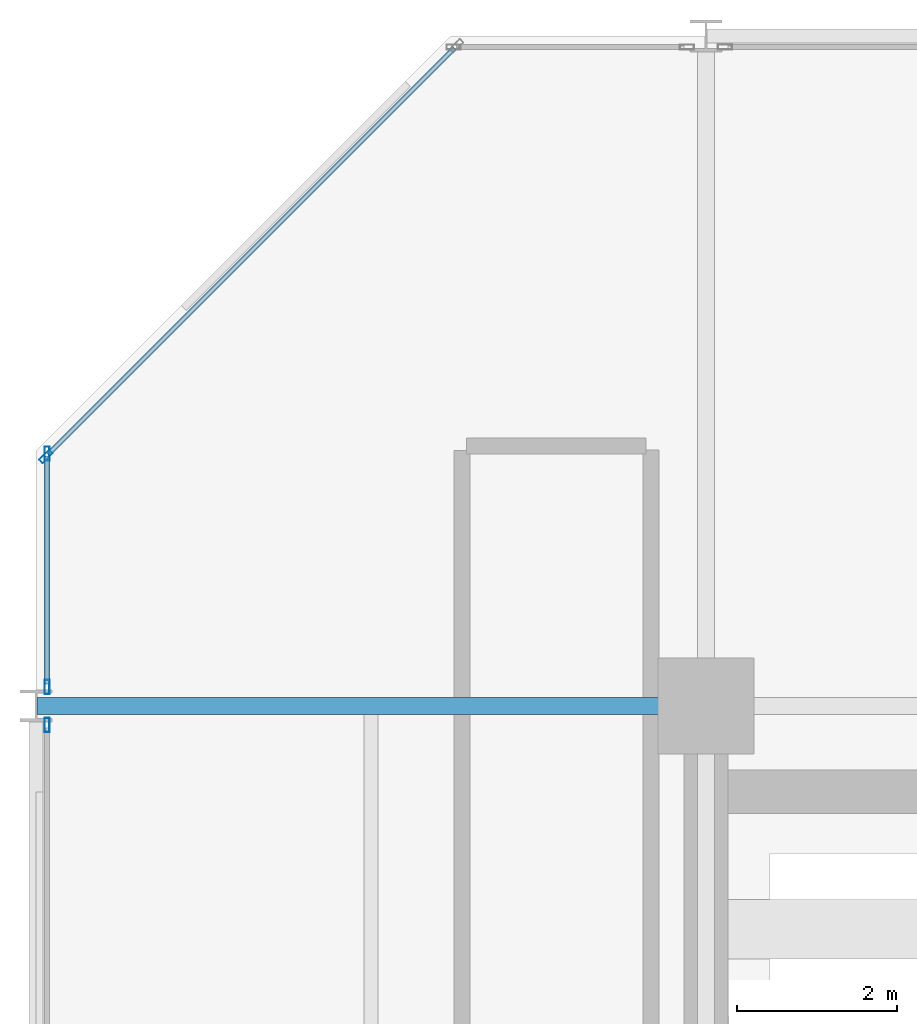
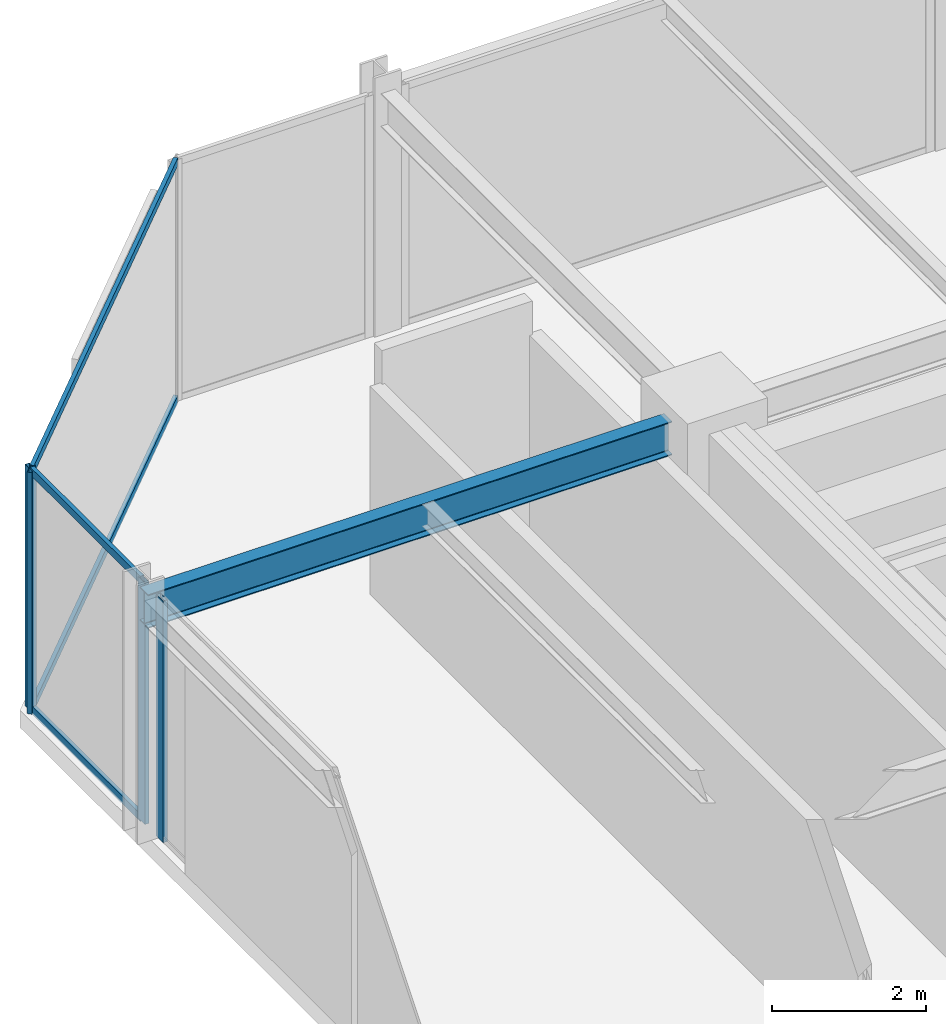
# One storey, part 18 of 29: 8 members, 1 beam, 3 elements without a shape of their own.
"""IFC4 building model written with IfcOpenShell, lengths in metres."""

from ifc_helpers import new_model, si_unit, direction, frame, origin, origin_2d, place, context, subcontext, project, spatial, hollow_rectangle, i_section, extrude, material, layer, layer_set, material_profile, profile_set, type_object, element, aggregate, save


model = new_model("IFC4")

# Units and contexts
model_context = context("Model", 3, precision=1e-05, world=origin(), true_north=direction((0.0, 1.0)))
body_context = subcontext(model_context, "Body", "Model", "MODEL_VIEW")
ifc_project = project(units=[si_unit("LENGTHUNIT", "METRE"), si_unit("AREAUNIT", "SQUARE_METRE"), si_unit("VOLUMEUNIT", "CUBIC_METRE"), si_unit("PLANEANGLEUNIT", "RADIAN"), si_unit("MASSUNIT", "GRAM", prefix="KILO")], contexts=[model_context])

# Site, building, storey
site_placement = place(None, origin())
site = spatial("IfcSite", under=ifc_project, at=site_placement, CompositionType="ELEMENT")
building_placement = place(site_placement, origin())
building = spatial("IfcBuilding", under=site, at=building_placement, Name="Nerrivon Quay Data Exchange", CompositionType="ELEMENT")
storey_placement = place(building_placement, frame((0.0, 0.0, 121.300048828125)))
storey = spatial("IfcBuildingStorey", under=building, at=storey_placement, Name="L28", CompositionType="ELEMENT", Elevation=121.300048828125)

# Beam
ifc_material_1 = material(Name="Steel Grade 350", Category="steel")
ifc_material_profile_1 = material_profile(ifc_material_1, i_section(OverallWidth=0.208984375, OverallDepth=0.532958984375, WebThickness=0.01025390625, FlangeThickness=0.015625, FilletRadius=0.013916015625, at=origin_2d()), Name="530UB92.4")
ifc_profile_set_1 = profile_set([ifc_material_profile_1], Name="Steel Grade 350")
beam_type = type_object("IfcBeamType", Name="BM-G3-530UB92", PredefinedType="BEAM", material=ifc_profile_set_1)
beam_placement = place(storey_placement, frame((0.012451171875, 42.0, 3.558349609375), z_axis=(1.0, 0.0, 0.0), x_axis=(0.0, 1.0, 0.0)))
element("IfcBeam", 1, at=beam_placement, inside=storey, type_object=beam_type, Name="L28 EW Girder Y=42.0 (0.0..8.4)", PredefinedType="BEAM", context=body_context, shape_type="SweptSolid", body=[
    extrude(i_section(OverallWidth=0.208984375, OverallDepth=0.532958984375, WebThickness=0.01025390625, FlangeThickness=0.015625, FilletRadius=0.013916015625, at=origin_2d()), origin(), (0.0, 0.0, 1.0), 7.84765625),
])

# Curtain wall, member
ifc_material_2 = material(Name="Anodised aluminium 6063-T6", Category="aluminium")
ifc_layer = layer(ifc_material_2, 0.2099609375)
ifc_layer_set = layer_set([ifc_layer], Name="Anodised aluminium 6063-T6")
curtain_wall_type = type_object("IfcCurtainWallType", Name="CW-SYS-02", PredefinedType="NOTDEFINED", material=ifc_layer_set)
curtain_wall_1_placement = place(storey_placement, origin())
curtain_wall_1 = element("IfcCurtainWall", 2, at=curtain_wall_1_placement, inside=storey, type_object=curtain_wall_type, Name="L28 Unitised Curtain Wall 15", PredefinedType="NOTDEFINED")
ifc_material_profile_2 = material_profile(ifc_material_2, hollow_rectangle(XDim=0.06494140625, YDim=0.179931640625, WallThickness=0.00341796875, at=origin_2d()), Name="ALU-MULL-180x65")
ifc_profile_set_2 = profile_set([ifc_material_profile_2], Name="Anodised aluminium 6063-T6")
member_type_1 = type_object("IfcMemberType", Name="CWM-180x65", PredefinedType="MULLION", material=ifc_profile_set_2)
member_1_placement = place(storey_placement, frame((0.139892578125, 41.762451171875, 0.0), z_axis=(0.0, 0.0, 1.0), x_axis=(-1.0, 0.0, 0.0)))
member_1 = element("IfcMember", 3, at=member_1_placement, type_object=member_type_1, Name="CW02 mullion 2", PredefinedType="MULLION", context=body_context, shape_type="SweptSolid", body=[
    extrude(hollow_rectangle(XDim=0.06494140625, YDim=0.179931640625, WallThickness=0.00341796875, at=origin_2d()), origin(), (0.0, 0.0, 1.0), 3.824951171875),
])
aggregate(curtain_wall_1, [member_1])

# Curtain wall, members
curtain_wall_2_placement = place(storey_placement, origin())
curtain_wall_2 = element("IfcCurtainWall", 4, at=curtain_wall_2_placement, inside=storey, type_object=curtain_wall_type, Name="L28 Unitised Curtain Wall 16", PredefinedType="NOTDEFINED")
member_2_placement = place(storey_placement, frame((0.139892578125, 42.237548828125, 0.0), z_axis=(0.0, 0.0, 1.0), x_axis=(-1.0, 0.0, 0.0)))
member_2 = element("IfcMember", 5, at=member_2_placement, type_object=member_type_1, Name="CW02 mullion 1", PredefinedType="MULLION", context=body_context, shape_type="SweptSolid", body=[
    extrude(hollow_rectangle(XDim=0.06494140625, YDim=0.179931640625, WallThickness=0.00341796875, at=origin_2d()), origin(), (0.0, 0.0, 1.0), 3.824951171875),
])
member_3_placement = place(storey_placement, frame((0.139892578125, 45.16259765625, 0.0), z_axis=(0.0, 0.0, 1.0), x_axis=(-1.0, 0.0, 0.0)))
member_3 = element("IfcMember", 6, at=member_3_placement, type_object=member_type_1, Name="CW02 mullion 2", PredefinedType="MULLION", context=body_context, shape_type="SweptSolid", body=[
    extrude(hollow_rectangle(XDim=0.06494140625, YDim=0.179931640625, WallThickness=0.00341796875, at=origin_2d()), origin(), (0.0, 0.0, 1.0), 3.824951171875),
])

# Curtain wall, member
curtain_wall_3_placement = place(storey_placement, origin())
curtain_wall_3 = element("IfcCurtainWall", 7, at=curtain_wall_3_placement, inside=storey, type_object=curtain_wall_type, Name="L28 Unitised Curtain Wall 17", PredefinedType="NOTDEFINED")
member_4_placement = place(storey_placement, frame((0.12548828125, 45.12744140625, 0.0), z_axis=(0.0, 0.0, 1.0), x_axis=(-0.707106781187, 0.707106781187, 0.0)))
member_4 = element("IfcMember", 8, at=member_4_placement, type_object=member_type_1, Name="CW02 mullion 1", PredefinedType="MULLION", context=body_context, shape_type="SweptSolid", body=[
    extrude(hollow_rectangle(XDim=0.06494140625, YDim=0.179931640625, WallThickness=0.00341796875, at=origin_2d()), origin(), (0.0, 0.0, 1.0), 3.824951171875),
])

# Member
ifc_material_profile_3 = material_profile(ifc_material_2, hollow_rectangle(XDim=0.06005859375, YDim=0.1201171875, WallThickness=0.003173828125, at=origin_2d()), Name="ALU-TRAN-120x60")
ifc_profile_set_3 = profile_set([ifc_material_profile_3], Name="Anodised aluminium 6063-T6")
member_type_2 = type_object("IfcMemberType", Name="CWT-120x60", PredefinedType="USERDEFINED", material=ifc_profile_set_3)
member_5_placement = place(storey_placement, frame((0.139892578125, 42.27490234375, 0.032470703125), z_axis=(0.0, 1.0, 0.0), x_axis=(-1.0, 0.0, 0.0)))
member_5 = element("IfcMember", 9, at=member_5_placement, type_object=member_type_2, Name="CW02 transom 1.1", ObjectType="TRANSOM", PredefinedType="USERDEFINED", context=body_context, shape_type="SweptSolid", body=[
    extrude(hollow_rectangle(XDim=0.06005859375, YDim=0.1201171875, WallThickness=0.003173828125, at=origin_2d()), origin(), (0.0, 0.0, 1.0), 2.85009765625),
])

member_6_placement = place(storey_placement, frame((0.139892578125, 42.27490234375, 3.79248046875), z_axis=(0.0, 1.0, 0.0), x_axis=(-1.0, 0.0, 0.0)))
member_6 = element("IfcMember", 10, at=member_6_placement, type_object=member_type_2, Name="CW02 transom 1.2", ObjectType="TRANSOM", PredefinedType="USERDEFINED", context=body_context, shape_type="SweptSolid", body=[
    extrude(hollow_rectangle(XDim=0.06005859375, YDim=0.1201171875, WallThickness=0.003173828125, at=origin_2d()), origin(), (0.0, 0.0, 1.0), 2.85009765625),
])

aggregate(curtain_wall_2, [member_2, member_3, member_5, member_6])

member_7_placement = place(storey_placement, frame((0.152099609375, 45.154052734375, 0.032470703125), z_axis=(0.707089835771, 0.707123726196, 0.0), x_axis=(-0.707123726196, 0.707089835771, 0.0)))
member_7 = element("IfcMember", 11, at=member_7_placement, type_object=member_type_2, Name="CW02 transom 1.1", ObjectType="TRANSOM", PredefinedType="USERDEFINED", context=body_context, shape_type="SweptSolid", body=[
    extrude(hollow_rectangle(XDim=0.06005859375, YDim=0.1201171875, WallThickness=0.003173828125, at=origin_2d()), origin(), (0.0, 0.0, 1.0), 7.203857421875),
])

member_8_placement = place(storey_placement, frame((0.152099609375, 45.154052734375, 3.79248046875), z_axis=(0.707089835771, 0.707123726196, 0.0), x_axis=(-0.707123726196, 0.707089835771, 0.0)))
member_8 = element("IfcMember", 12, at=member_8_placement, type_object=member_type_2, Name="CW02 transom 1.2", ObjectType="TRANSOM", PredefinedType="USERDEFINED", context=body_context, shape_type="SweptSolid", body=[
    extrude(hollow_rectangle(XDim=0.06005859375, YDim=0.1201171875, WallThickness=0.003173828125, at=origin_2d()), origin(), (0.0, 0.0, 1.0), 7.203857421875),
])

aggregate(curtain_wall_3, [member_4, member_7, member_8])

save(model, "model.ifc")
